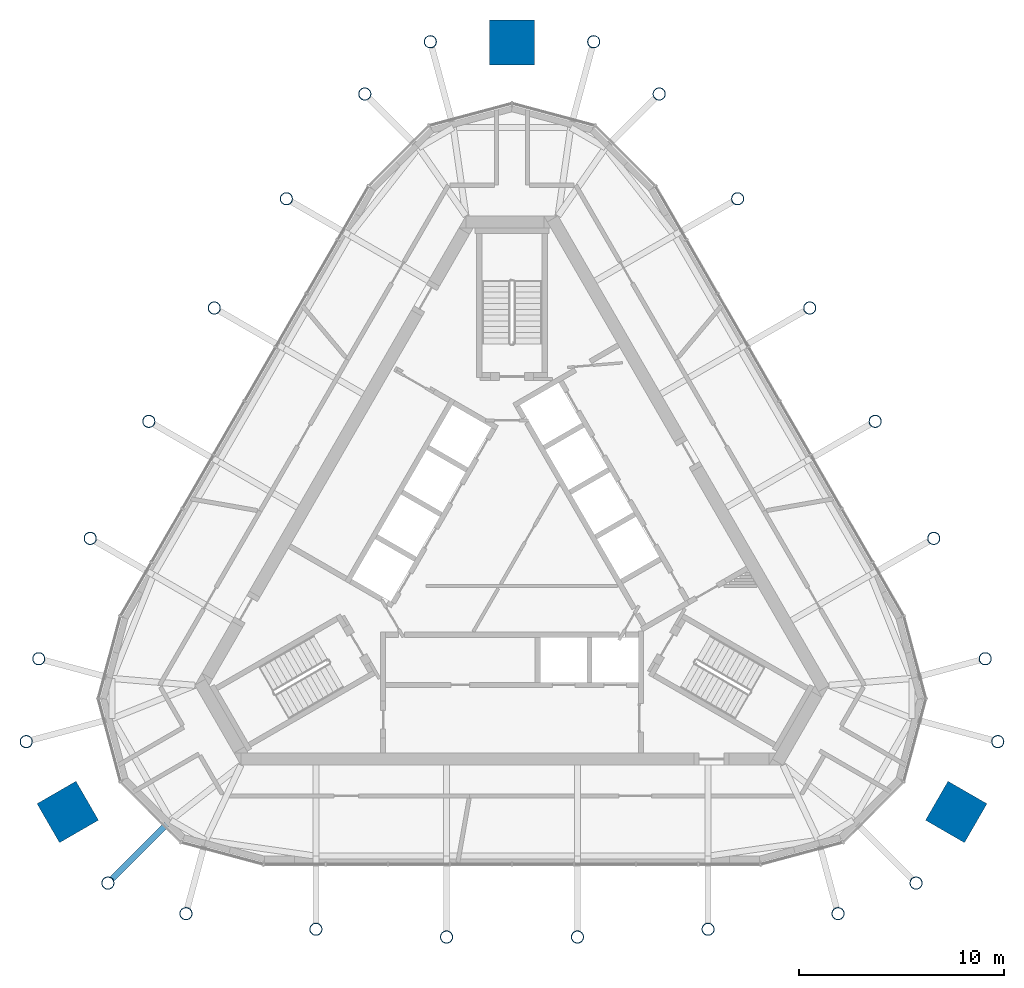
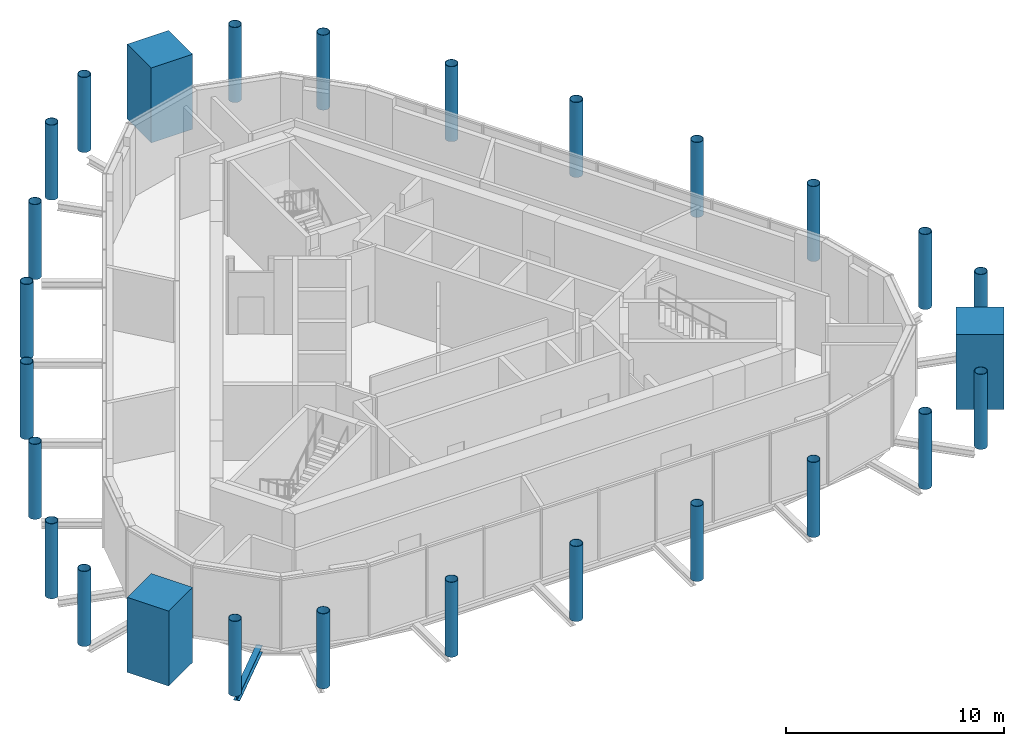
# One storey, part 1 of 11: 27 columns, 1 beam.
"""IFC4 building model written with IfcOpenShell, lengths in metres."""

import ifcopenshell
import ifcopenshell.guid

model = None  # the IFC model being written
_history = None  # IfcOwnerHistory: only IFC2X3 demands one
_inside = {}  # id of a spatial element -> (the spatial element, [elements in it])
_under = {}  # id of a project, library or spatial element -> (it, [spatial elements below it])
_declared = {}  # id of a project -> (the project, [libraries it declares])
_typed = {}  # id of a type object -> (the type object, [elements of that type])
_made_of = {}  # id of a material, layer set ... -> (it, [elements and type objects made of it])


def new_model(schema):
    """Start an empty IFC model of exactly this schema.

    Asked for "IFC4X3", IfcOpenShell would pick the latest addendum, in which some entities
    have other attributes; the version numbers below select the first issue.
    IFC2X3 requires an IfcOwnerHistory on every rooted entity: one is made here for all.
    """
    global model, _history
    if schema == "IFC4X3":
        model = ifcopenshell.file(schema_version=(4, 3, 0, 0))
    else:
        model = ifcopenshell.file(schema=schema)
    _inside.clear()
    _under.clear()
    _declared.clear()
    _typed.clear()
    _made_of.clear()
    _history = None
    if model.schema == "IFC2X3":
        org = make("IfcOrganization", Name="unknown")
        user = make(
            "IfcPersonAndOrganization",
            ThePerson=make("IfcPerson", FamilyName="unknown"),
            TheOrganization=org,
        )
        app = make(
            "IfcApplication",
            ApplicationDeveloper=org,
            Version="unknown",
            ApplicationFullName="unknown",
            ApplicationIdentifier="unknown",
        )
        _history = make(
            "IfcOwnerHistory",
            OwningUser=user,
            OwningApplication=app,
            ChangeAction="ADDED",
            CreationDate=0,
        )
    return model


def make(cls, **values):
    """One entity of the class cls with the attributes given. An attribute that is None is left unset."""
    return model.create_entity(
        cls, **{name: value for name, value in values.items() if value is not None}
    )


def rooted(cls, **values):
    """An entity with a GlobalId (a new one), such as an element, a storey or a relation."""
    return make(cls, GlobalId=ifcopenshell.guid.new(), OwnerHistory=_history, **values)


def si_unit(unit_type, name, prefix=None):
    """IfcSIUnit, for example si_unit("LENGTHUNIT", "METRE", prefix="MILLI")."""
    return make("IfcSIUnit", UnitType=unit_type, Prefix=prefix, Name=name)


def assignment(units):
    """IfcUnitAssignment: the units of a project."""
    return None if units is None else make("IfcUnitAssignment", Units=units)


def point(xyz):
    """IfcCartesianPoint."""
    return None if xyz is None else make("IfcCartesianPoint", Coordinates=xyz)


def direction(xyz):
    """IfcDirection."""
    return None if xyz is None else make("IfcDirection", DirectionRatios=xyz)


def frame(location, z_axis=None, x_axis=None):
    """IfcAxis2Placement3D, a coordinate frame: its origin and axes. An axis left out is left unset."""
    return make(
        "IfcAxis2Placement3D",
        Location=point(location),
        Axis=direction(z_axis),
        RefDirection=direction(x_axis),
    )


def frame_2d(location, x_axis=None):
    """IfcAxis2Placement2D, a coordinate frame in the plane: its origin and x axis."""
    return make(
        "IfcAxis2Placement2D", Location=point(location), RefDirection=direction(x_axis)
    )


def origin():
    """The frame at (0, 0, 0) with its axes left unset."""
    return frame((0.0, 0.0, 0.0))


def origin_2d():
    """The frame at (0, 0) in the plane with its x axis left unset."""
    return frame_2d((0.0, 0.0))


def place(relative_to, where):
    """IfcLocalPlacement: puts the frame where relative to a parent placement (None: the world)."""
    return make(
        "IfcLocalPlacement", PlacementRelTo=relative_to, RelativePlacement=where
    )


def context(
    kind, dimensions, precision=None, world=None, true_north=None, identifier=None
):
    """IfcGeometricRepresentationContext, for example the 3D "Model" context."""
    return make(
        "IfcGeometricRepresentationContext",
        ContextIdentifier=identifier,
        ContextType=kind,
        CoordinateSpaceDimension=dimensions,
        Precision=precision,
        WorldCoordinateSystem=world,
        TrueNorth=true_north,
    )


def subcontext(parent, identifier, kind, view, scale=None):
    """IfcGeometricRepresentationSubContext, for example "Body" below "Model"."""
    return make(
        "IfcGeometricRepresentationSubContext",
        ContextIdentifier=identifier,
        ContextType=kind,
        ParentContext=parent,
        TargetScale=scale,
        TargetView=view,
    )


def project(units=None, contexts=None):
    """IfcProject with its units and contexts."""
    return rooted(
        "IfcProject",
        Name="project",
        RepresentationContexts=contexts,
        UnitsInContext=assignment(units),
    )


def spatial(cls, under=None, at=None, **own):
    """A site, building, storey or space (cls), placed at a placement, below another one or the project."""
    s = rooted(cls, ObjectPlacement=at, **own)
    if under is not None:
        _under.setdefault(under.id(), (under, []))[1].append(s)
    return s


def profile(cls, at=None, kind="AREA", **sizes):
    """A parametric profile (cls). Its sizes go by their IFC names, for example OverallWidth=200.0."""
    return make(cls, ProfileType=kind, Position=at, **sizes)


def rectangle(**sizes):
    """IfcRectangleProfileDef."""
    return profile("IfcRectangleProfileDef", **sizes)


def hollow_circle(**sizes):
    """IfcCircleHollowProfileDef."""
    return profile("IfcCircleHollowProfileDef", **sizes)


def i_section(**sizes):
    """IfcIShapeProfileDef."""
    return profile("IfcIShapeProfileDef", **sizes)


def extrude(swept, where, along, depth):
    """IfcExtrudedAreaSolid: the profile swept, set in the frame where, extruded along a direction by depth."""
    return make(
        "IfcExtrudedAreaSolid",
        SweptArea=swept,
        Position=where,
        ExtrudedDirection=direction(along),
        Depth=depth,
    )


def shape(context_of_items, identifier, shape_type, items):
    """IfcShapeRepresentation: the items that make up one representation, for example the "Body"."""
    return make(
        "IfcShapeRepresentation",
        ContextOfItems=context_of_items,
        RepresentationIdentifier=identifier,
        RepresentationType=shape_type,
        Items=items,
    )


def material(Name=None, Category=None):
    """IfcMaterial."""
    return make("IfcMaterial", Name=Name, Category=Category)


def material_profile(
    of_material, cross_section, Name=None, Category=None, Priority=None
):
    """IfcMaterialProfile: a cross section and its material."""
    return make(
        "IfcMaterialProfile",
        Name=Name,
        Material=of_material,
        Profile=cross_section,
        Priority=Priority,
        Category=Category,
    )


def profile_set(profiles, Name=None, composite=None):
    """IfcMaterialProfileSet."""
    return make(
        "IfcMaterialProfileSet",
        Name=Name,
        MaterialProfiles=profiles,
        CompositeProfile=composite,
    )


def made_of(thing, what):
    """Note that an element or type object is made of a material, layer set ...; save() writes the relation."""
    if what is not None:
        _made_of.setdefault(what.id(), (what, []))[1].append(thing)
    return thing


def type_object(cls, material=None, **own):
    """A type object (cls), such as IfcWallType, which elements share."""
    return made_of(rooted(cls, **own), material)


def element(
    cls,
    number,
    at=None,
    inside=None,
    cuts=None,
    type_object=None,
    material=None,
    context=None,
    identifier="Body",
    shape_type=None,
    held_by="IfcProductDefinitionShape",
    body=None,
    shapes=None,
    **own,
):
    """One element of the class cls, such as IfcWall. Its Tag is "e" and its number.

    at: its placement. inside: the storey or other place that contains it. cuts: it is an
    opening in that element (IfcRelVoidsElement). A single representation is given by context,
    identifier, shape_type and body (its items); several are given by shapes. held_by: the class
    of the entity that holds the representations. save() writes the other relations.
    """
    e = rooted(cls, Tag="e%d" % number, ObjectPlacement=at, **own)
    if body is not None:
        shapes = [shape(context, identifier, shape_type, body)]
    if shapes is not None:
        e.Representation = make(held_by, Representations=shapes)
    if inside is not None:
        _inside.setdefault(inside.id(), (inside, []))[1].append(e)
    if cuts is not None:
        rooted(
            "IfcRelVoidsElement", RelatingBuildingElement=cuts, RelatedOpeningElement=e
        )
    if type_object is not None:
        _typed.setdefault(type_object.id(), (type_object, []))[1].append(e)
    return made_of(e, material)


def aggregate(whole, parts):
    """IfcRelAggregates: a whole, such as a stair, and the parts it consists of."""
    return rooted("IfcRelAggregates", RelatingObject=whole, RelatedObjects=parts)


def save(model, path):
    """Write the relations noted so far, then the file.

    IfcRelAggregates (storeys below a building ...), IfcRelContainedInSpatialStructure (elements
    in a storey), IfcRelDefinesByType, IfcRelAssociatesMaterial and IfcRelDeclares: one each for
    every whole, place, type object, material and project.
    """
    for whole, parts in _under.values():
        aggregate(whole, parts)
    for where, things in _inside.values():
        rooted(
            "IfcRelContainedInSpatialStructure",
            RelatedElements=things,
            RelatingStructure=where,
        )
    for kind, things in _typed.values():
        rooted("IfcRelDefinesByType", RelatedObjects=things, RelatingType=kind)
    for what, things in _made_of.values():
        rooted("IfcRelAssociatesMaterial", RelatedObjects=things, RelatingMaterial=what)
    for by, libraries in _declared.values():
        rooted("IfcRelDeclares", RelatingContext=by, RelatedDefinitions=libraries)
    model.write(path)


model = new_model("IFC4")

# Units and contexts
model_context = context("Model", 3, precision=1e-05, world=origin(), true_north=direction((0.0, 1.0)))
body_context = subcontext(model_context, "Body", "Model", "MODEL_VIEW")
ifc_project = project(units=[si_unit("LENGTHUNIT", "METRE"), si_unit("AREAUNIT", "SQUARE_METRE"), si_unit("VOLUMEUNIT", "CUBIC_METRE"), si_unit("PLANEANGLEUNIT", "RADIAN"), si_unit("MASSUNIT", "GRAM", prefix="KILO")], contexts=[model_context])

# Site, building, storey
site_placement = place(None, origin())
site = spatial("IfcSite", under=ifc_project, at=site_placement, CompositionType="ELEMENT")
building_placement = place(site_placement, origin())
building = spatial("IfcBuilding", under=site, at=building_placement, Name="Mestral Congress Tower", CompositionType="ELEMENT")
storey_placement = place(building_placement, frame((0.0, 0.0, 331.800048828125)))
storey = spatial("IfcBuildingStorey", under=building, at=storey_placement, Name="L77", CompositionType="ELEMENT", Elevation=331.800048828125)

# Columns
ifc_material_1 = material(Name="Steel S355", Category="steel")
ifc_material_profile_1 = material_profile(ifc_material_1, hollow_circle(Radius=0.304931640625, WallThickness=0.02490234375, at=origin_2d()), Name="CHS 610x25")
ifc_profile_set_1 = profile_set([ifc_material_profile_1], Name="Steel S355")
column_type_1 = type_object("IfcColumnType", Name="Colonnade column CHS 610x25 S355", PredefinedType="COLUMN", material=ifc_profile_set_1)
for number, where, z_axis, x_axis, name in (
    (1, (-15.940673828125, -17.511962890625, 0.0), (0.0, 0.0, 1.0), (1.0, 0.0, 0.0), "COL-L77-K-C5-S00"),
    (2, (-9.587158203125, -18.273681640625, 0.0), (0.0, 0.0, 1.0), (1.0, 0.0, 0.0), "COL-L77-K-C5-S01"),
    (3, (-3.199462890625, -18.6552734375, 0.0), (0.0, 0.0, 1.0), (1.0, 0.0, 0.0), "COL-L77-K-C5-S02"),
    (4, (3.199462890625, -18.6552734375, 0.0), (0.0, 0.0, 1.0), (1.0, 0.0, 0.0), "COL-L77-K-C5-S03"),
    (5, (9.587158203125, -18.273681640625, 0.0), (0.0, 0.0, 1.0), (1.0, 0.0, 0.0), "COL-L77-K-C5-S04"),
    (6, (15.940673828125, -17.511962890625, 0.0), (0.0, 0.0, 1.0), (1.0, 0.0, 0.0), "COL-L77-K-C5-S05"),
    (7, (19.75439453125, -16.0166015625, 0.0), (0.0, 0.0, 1.0), (1.0, 0.0, 0.0), "COL-L77-K-C5-SE1"),
    (8, (23.748046875, -9.099609375, 0.0), (0.0, 0.0, 1.0), (1.0, 0.0, 0.0), "COL-L77-K-C5-SE3"),
    (9, (23.135986328125, -5.049072265625, 0.0), (0.0, 0.0, 1.0), (1.0, 0.0, 0.0), "COL-L77-K-C5-E00"),
    (10, (20.618896484375, 0.833984375, 0.0), (0.0, 0.0, 1.0), (1.0, 0.0, 0.0), "COL-L77-K-C5-E01"),
    (11, (17.755615234375, 6.556640625, 0.0), (0.0, 0.0, 1.0), (1.0, 0.0, 0.0), "COL-L77-K-C5-E02"),
    (12, (14.55615234375, 12.098388671875, 0.0), (0.0, 0.0, 1.0), (1.0, 0.0, 0.0), "COL-L77-K-C5-E03"),
    (13, (11.031982421875, 17.439697265625, 0.0), (0.0, 0.0, 1.0), (1.0, 0.0, 0.0), "COL-L77-K-C5-E04"),
    (14, (7.1953125, 22.56103515625, 0.0), (0.0, 0.0, 1.0), (1.0, 0.0, 0.0), "COL-L77-K-C5-E05"),
    (15, (3.993408203125, 25.1162109375, 0.0), (0.0, 0.0, 1.0), (1.0, 0.0, 0.0), "COL-L77-K-C5-N1"),
    (16, (-3.993408203125, 25.1162109375, 0.0), (0.0, 0.0, 1.0), (1.0, 0.0, 0.0), "COL-L77-K-C5-N3"),
    (17, (-7.1953125, 22.56103515625, 0.0), (0.0, 0.0, 1.0), (1.0, 0.0, 0.0), "COL-L77-K-C5-W00"),
    (18, (-11.031982421875, 17.439697265625, 0.0), (0.0, 0.0, 1.0), (1.0, 0.0, 0.0), "COL-L77-K-C5-W01"),
    (19, (-14.55615234375, 12.098388671875, 0.0), (0.0, 0.0, 1.0), (1.0, 0.0, 0.0), "COL-L77-K-C5-W02"),
    (20, (-17.755615234375, 6.556640625, 0.0), (0.0, 0.0, 1.0), (1.0, 0.0, 0.0), "COL-L77-K-C5-W03"),
    (21, (-20.618896484375, 0.833984375, 0.0), (0.0, 0.0, 1.0), (1.0, 0.0, 0.0), "COL-L77-K-C5-W04"),
    (22, (-23.135986328125, -5.049072265625, 0.0), (0.0, 0.0, 1.0), (1.0, 0.0, 0.0), "COL-L77-K-C5-W05"),
    (23, (-23.748046875, -9.099609375, 0.0), (0.0, 0.0, 1.0), (1.0, 0.0, 0.0), "COL-L77-K-C5-SW1"),
    (24, (-19.75439453125, -16.0166015625, 0.0), (0.0, 0.0, 1.0), (1.0, 0.0, 0.0), "COL-L77-K-C5-SW3"),
):
    element("IfcColumn", number, at=place(storey_placement, frame(where, z_axis=z_axis, x_axis=x_axis)), inside=storey, type_object=column_type_1, Name=name, PredefinedType="COLUMN", context=body_context, shape_type="SweptSolid", body=[
        extrude(hollow_circle(Radius=0.304931640625, WallThickness=0.02490234375, at=origin_2d()), origin(), (0.0, 0.0, 1.0), 4.199951171875),
    ])
ifc_material_2 = material(Name="Concrete C60/75", Category="concrete")
ifc_material_profile_2 = material_profile(ifc_material_2, rectangle(XDim=2.199951171875, YDim=2.199951171875, at=origin_2d()), Name="RC 2200x2200")
ifc_profile_set_2 = profile_set([ifc_material_profile_2], Name="Concrete C60/75")
column_type_2 = type_object("IfcColumnType", Name="Mega column RC 2200x2200 C60/75", PredefinedType="COLUMN", material=ifc_profile_set_2)
for number, where, z_axis, x_axis, name in (
    (25, (21.71826171875, -12.5390625, 0.0), (0.0, 0.0, 1.0), (0.866025403784, -0.5, 0.0), "COL-L77-PY5-SE"),
    (26, (0.0, 25.078125, 0.0), (0.0, 0.0, 1.0), (0.0, 1.0, 0.0), "COL-L77-PY5-N"),
    (27, (-21.71826171875, -12.5390625, 0.0), (0.0, 0.0, 1.0), (-0.866025403784, -0.5, 0.0), "COL-L77-PY5-SW"),
):
    element("IfcColumn", number, at=place(storey_placement, frame(where, z_axis=z_axis, x_axis=x_axis)), inside=storey, type_object=column_type_2, Name=name, PredefinedType="COLUMN", context=body_context, shape_type="SweptSolid", body=[
        extrude(rectangle(XDim=2.199951171875, YDim=2.199951171875, at=origin_2d()), origin(), (0.0, 0.0, 1.0), 4.199951171875),
    ])

# Beam
ifc_material_profile_3 = material_profile(ifc_material_1, i_section(OverallWidth=0.300048828125, OverallDepth=0.39990234375, WebThickness=0.013427734375, FlangeThickness=0.02392578125, FilletRadius=0.027099609375, at=origin_2d()), Name="HEB 400")
ifc_profile_set_3 = profile_set([ifc_material_profile_3], Name="Steel S355")
beam_type = type_object("IfcBeamType", Name="Floor beam HEB 400 S355", PredefinedType="BEAM", material=ifc_profile_set_3)
beam_placement = place(storey_placement, frame((-19.538818359375, -15.80078125, -0.449951171875), z_axis=(0.707137007821, 0.70707655326, 0.0), x_axis=(-0.70707655326, 0.707137007821, 0.0)))
element("IfcBeam", 28, at=beam_placement, inside=storey, type_object=beam_type, Name="BM-L77-KT-C5-SW3", PredefinedType="BEAM", context=body_context, shape_type="SweptSolid", body=[
    extrude(i_section(OverallWidth=0.300048828125, OverallDepth=0.39990234375, WebThickness=0.013427734375, FlangeThickness=0.02392578125, FilletRadius=0.027099609375, at=origin_2d()), origin(), (0.0, 0.0, 1.0), 4.038330078125),
])

save(model, "model.ifc")
